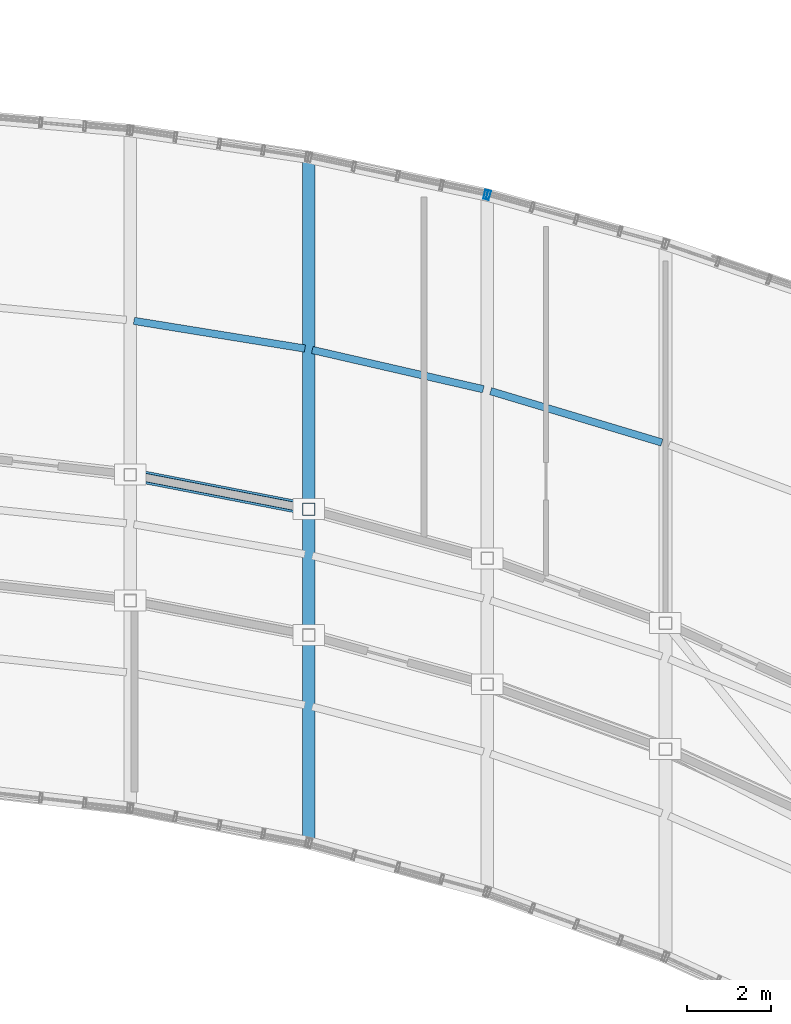
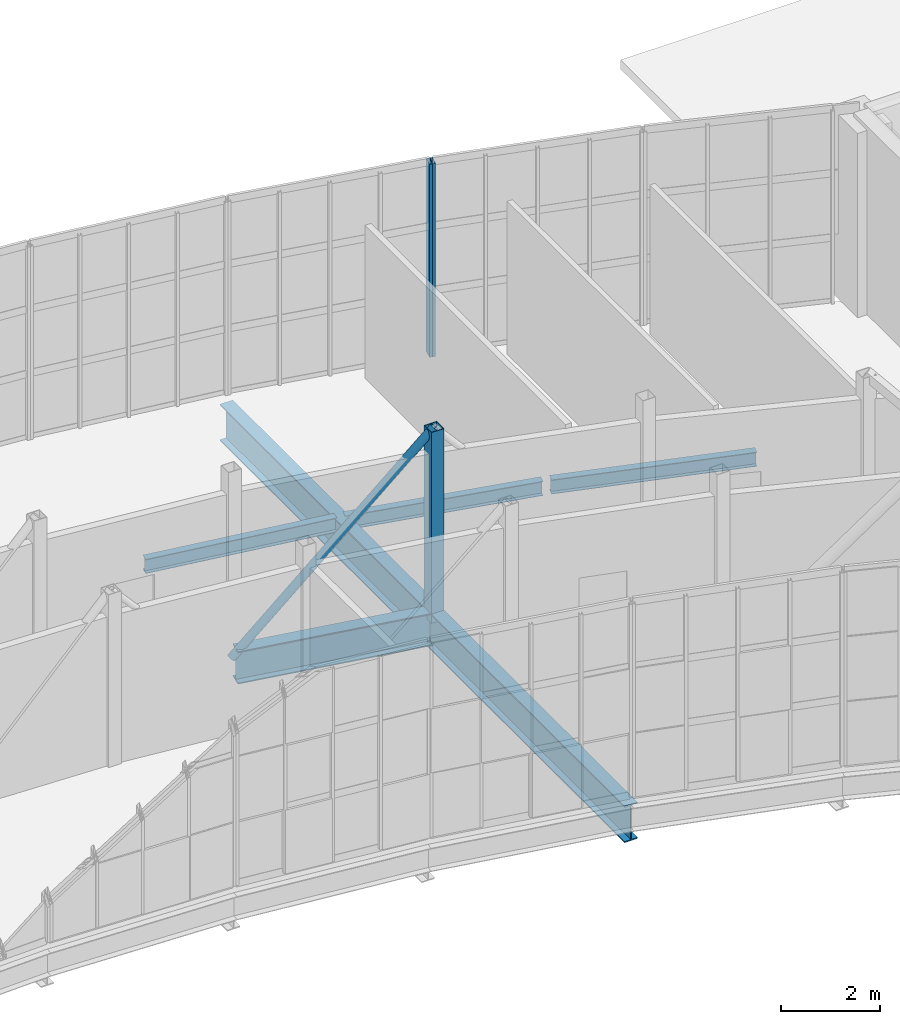
# One storey, part 46 of 86: 5 beams, 4 members, 2 elements without a shape of their own.
"""IFC4 building model written with IfcOpenShell, lengths in metres."""

from ifc_helpers import new_model, si_unit, direction, frame, origin, origin_2d, place, context, subcontext, project, spatial, hollow_rectangle, hollow_circle, i_section, extrude, material, material_profile, profile_set, type_object, element, aggregate, save


model = new_model("IFC4")

# Units and contexts
model_context = context("Model", 3, precision=1e-05, world=origin(), true_north=direction((0.0, 1.0)))
body_context = subcontext(model_context, "Body", "Model", "MODEL_VIEW")
ifc_project = project(units=[si_unit("LENGTHUNIT", "METRE"), si_unit("AREAUNIT", "SQUARE_METRE"), si_unit("VOLUMEUNIT", "CUBIC_METRE"), si_unit("PLANEANGLEUNIT", "RADIAN"), si_unit("MASSUNIT", "GRAM", prefix="KILO")], contexts=[model_context])

# Site, building, storey
site_placement = place(None, origin())
site = spatial("IfcSite", under=ifc_project, at=site_placement, CompositionType="ELEMENT")
building_placement = place(site_placement, origin())
building = spatial("IfcBuilding", under=site, at=building_placement, Name="Solvikara Media Centre", CompositionType="ELEMENT")
storey_placement = place(building_placement, frame((0.0, 0.0, 15.0)))
storey = spatial("IfcBuildingStorey", under=building, at=storey_placement, Name="L03", CompositionType="ELEMENT", Elevation=15.0)

# Beams
ifc_material_1 = material(Name="Steel S355JR", Category="steel")
ifc_material_profile_1 = material_profile(ifc_material_1, i_section(OverallWidth=0.300048828125, OverallDepth=0.89990234375, WebThickness=0.01611328125, FlangeThickness=0.028076171875, at=origin_2d()), Name="WF 900x300x16x28")
ifc_profile_set_1 = profile_set([ifc_material_profile_1], Name="Steel S355JR")
beam_type_1 = type_object("IfcBeamType", Name="BM-15", PredefinedType="BEAM", material=ifc_profile_set_1)
beam_1_placement = place(storey_placement, frame((114.75, 23.99609375, -0.672119140625), z_axis=(0.0, 1.0, 0.0), x_axis=(-1.0, 0.0, 0.0)))
element("IfcBeam", 1, at=beam_1_placement, inside=storey, type_object=beam_type_1, Name="BG-L03-NS-09", PredefinedType="BEAM", context=body_context, shape_type="SweptSolid", body=[
    extrude(i_section(OverallWidth=0.300048828125, OverallDepth=0.89990234375, WebThickness=0.01611328125, FlangeThickness=0.028076171875, at=origin_2d()), origin(), (0.0, 0.0, 1.0), 16.3330078125),
])
ifc_material_profile_2 = material_profile(ifc_material_1, i_section(OverallWidth=0.300048828125, OverallDepth=0.800048828125, WebThickness=0.013916015625, FlangeThickness=0.02587890625, at=origin_2d()), Name="WF 800x300x14x26")
ifc_profile_set_2 = profile_set([ifc_material_profile_2], Name="Steel S355JR")
beam_type_2 = type_object("IfcBeamType", Name="BM-16", PredefinedType="BEAM", material=ifc_profile_set_2)
beam_2_placement = place(storey_placement, frame((110.587890625, 32.7509765625, -0.6220703125), z_axis=(0.981801087979, -0.189912147171, 0.0), x_axis=(0.189912147171, 0.981801087979, 0.0)))
element("IfcBeam", 2, at=beam_2_placement, inside=storey, type_object=beam_type_2, Name="B-L03-SPNN-08", PredefinedType="BEAM", context=body_context, shape_type="SweptSolid", body=[
    extrude(i_section(OverallWidth=0.300048828125, OverallDepth=0.800048828125, WebThickness=0.013916015625, FlangeThickness=0.02587890625, at=origin_2d()), origin(), (0.0, 0.0, 1.0), 4.149658203125),
])
ifc_material_profile_3 = material_profile(ifc_material_1, i_section(OverallWidth=0.175048828125, OverallDepth=0.35009765625, WebThickness=0.007080078125, FlangeThickness=0.010986328125, at=origin_2d()), Name="WF 350x175x7x11")
ifc_profile_set_3 = profile_set([ifc_material_profile_3], Name="Steel S355JR")
beam_type_3 = type_object("IfcBeamType", Name="BM-22", PredefinedType="JOIST", material=ifc_profile_set_3)
beam_3_placement = place(storey_placement, frame((110.589111328125, 36.428955078125, -0.39697265625), z_axis=(0.987157242896, -0.159751612818, 0.0), x_axis=(0.159751612818, 0.987157242896, 0.0)))
element("IfcBeam", 3, at=beam_3_placement, inside=storey, type_object=beam_type_3, Name="BJ-L03-08-72", PredefinedType="JOIST", context=body_context, shape_type="SweptSolid", body=[
    extrude(i_section(OverallWidth=0.175048828125, OverallDepth=0.35009765625, WebThickness=0.007080078125, FlangeThickness=0.010986328125, at=origin_2d()), origin(), (0.0, 0.0, 1.0), 4.124755859375),
])
beam_4_placement = place(storey_placement, frame((114.837890625, 35.736083984375, -0.39697265625), z_axis=(0.974660207056, -0.223690591624, 0.0), x_axis=(0.223690591624, 0.974660207056, 0.0)))
element("IfcBeam", 4, at=beam_4_placement, inside=storey, type_object=beam_type_3, Name="BJ-L03-09-72", PredefinedType="JOIST", context=body_context, shape_type="SweptSolid", body=[
    extrude(i_section(OverallWidth=0.175048828125, OverallDepth=0.35009765625, WebThickness=0.007080078125, FlangeThickness=0.010986328125, at=origin_2d()), origin(), (0.0, 0.0, 1.0), 4.18017578125),
])
beam_5_placement = place(storey_placement, frame((119.0859375, 34.7548828125, -0.39697265625), z_axis=(0.95779787385, -0.287442573133, 0.0), x_axis=(0.287442573133, 0.95779787385, 0.0)))
element("IfcBeam", 5, at=beam_5_placement, inside=storey, type_object=beam_type_3, Name="BJ-L03-10-72", PredefinedType="JOIST", context=body_context, shape_type="SweptSolid", body=[
    extrude(i_section(OverallWidth=0.175048828125, OverallDepth=0.35009765625, WebThickness=0.007080078125, FlangeThickness=0.010986328125, at=origin_2d()), origin(), (0.0, 0.0, 1.0), 4.2578125),
])

# Members
ifc_material_profile_4 = material_profile(ifc_material_1, hollow_circle(Radius=0.096923828125, WallThickness=0.008056640625, at=origin_2d()), Name="CHS 193.7x8")
ifc_profile_set_4 = profile_set([ifc_material_profile_4], Name="Steel S355JR")
member_type_1 = type_object("IfcMemberType", Name="MB-06", PredefinedType="BRACE", material=ifc_profile_set_4)
member_1_placement = place(storey_placement, frame((110.5, 32.76806640625, -0.449951171875), z_axis=(0.665137067971, -0.128648696453, 0.735555704016), x_axis=(0.189897396029, 0.981803941213, 0.0)))
element("IfcMember", 6, at=member_1_placement, inside=storey, type_object=member_type_1, Name="WTR-L03-N-DA08", PredefinedType="BRACE", context=body_context, shape_type="SweptSolid", body=[
    extrude(hollow_circle(Radius=0.096923828125, WallThickness=0.008056640625, at=origin_2d()), origin(), (0.0, 0.0, 1.0), 6.3896484375),
])
ifc_material_profile_5 = material_profile(ifc_material_1, hollow_rectangle(XDim=0.300048828125, YDim=0.300048828125, WallThickness=0.012451171875, at=origin_2d()), Name="RHS 300x300x12.5")
ifc_profile_set_5 = profile_set([ifc_material_profile_5], Name="Steel S355JR")
member_type_2 = type_object("IfcMemberType", Name="MB-11", PredefinedType="CHORD", material=ifc_profile_set_5)
member_2_placement = place(storey_placement, frame((114.75, 31.946044921875, -0.449951171875), z_axis=(0.0, 0.0, 1.0), x_axis=(1.0, 0.0, 0.0)))
element("IfcMember", 7, at=member_2_placement, inside=storey, type_object=member_type_2, Name="WTR-L03-N-V09", PredefinedType="CHORD", context=body_context, shape_type="SweptSolid", body=[
    extrude(hollow_rectangle(XDim=0.300048828125, YDim=0.300048828125, WallThickness=0.012451171875, at=origin_2d()), origin(), (0.0, 0.0, 1.0), 4.699951171875),
])

# Curtain wall, member
ifc_material_2 = material(Name="Anodised aluminium EN AW-6063", Category="aluminium")
curtain_wall_type = type_object("IfcCurtainWallType", Name="CW-02", PredefinedType="NOTDEFINED", material=ifc_material_2)
curtain_wall_1_placement = place(storey_placement, origin())
curtain_wall_1 = element("IfcCurtainWall", 8, at=curtain_wall_1_placement, inside=storey, type_object=curtain_wall_type, Name="CW-L03-NARC-09", PredefinedType="NOTDEFINED")
ifc_material_profile_6 = material_profile(ifc_material_2, hollow_rectangle(XDim=0.06494140625, YDim=0.219970703125, WallThickness=0.00390625, at=origin_2d()), Name="ALU-M 65x220x4")
ifc_profile_set_6 = profile_set([ifc_material_profile_6], Name="Anodised aluminium EN AW-6063")
member_type_3 = type_object("IfcMemberType", Name="MF-01", PredefinedType="MULLION", material=ifc_profile_set_6)
member_3_placement = place(storey_placement, frame((118.966064453125, 39.43798828125, 0.02001953125), z_axis=(0.0, 0.0, 1.0), x_axis=(0.97837923005, -0.206818959981, 0.0)))
member_3 = element("IfcMember", 9, at=member_3_placement, type_object=member_type_3, Name="CW-L03-NARC-09-M04", PredefinedType="MULLION", context=body_context, shape_type="SweptSolid", body=[
    extrude(hollow_rectangle(XDim=0.06494140625, YDim=0.219970703125, WallThickness=0.00390625, at=origin_2d()), origin(), (0.0, 0.0, 1.0), 4.760009765625),
])
aggregate(curtain_wall_1, [member_3])

curtain_wall_2_placement = place(storey_placement, origin())
curtain_wall_2 = element("IfcCurtainWall", 10, at=curtain_wall_2_placement, inside=storey, type_object=curtain_wall_type, Name="CW-L03-NARC-10", PredefinedType="NOTDEFINED")
member_4_placement = place(storey_placement, frame((119.033935546875, 39.422119140625, 0.02001953125), z_axis=(0.0, 0.0, 1.0), x_axis=(0.964030487854, -0.265791682504, 0.0)))
member_4 = element("IfcMember", 11, at=member_4_placement, type_object=member_type_3, Name="CW-L03-NARC-10-M00", PredefinedType="MULLION", context=body_context, shape_type="SweptSolid", body=[
    extrude(hollow_rectangle(XDim=0.06494140625, YDim=0.219970703125, WallThickness=0.00390625, at=origin_2d()), origin(), (0.0, 0.0, 1.0), 4.760009765625),
])
aggregate(curtain_wall_2, [member_4])

save(model, "model.ifc")
